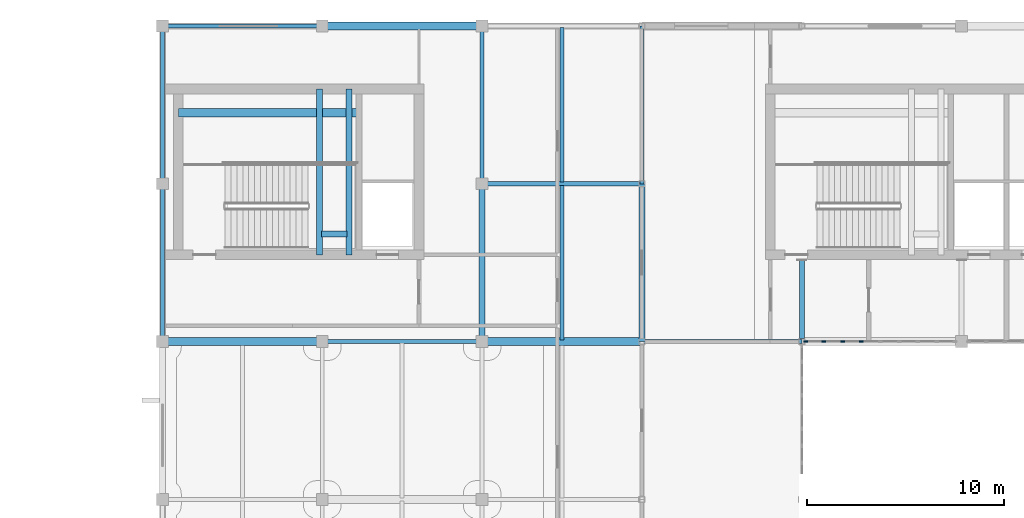
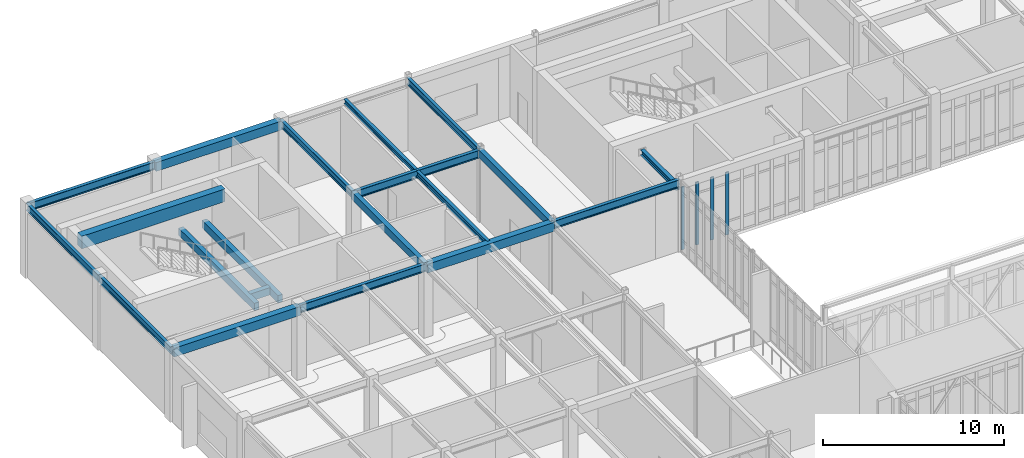
# One storey, part 29 of 107: 19 beams, 5 members, 1 element without a shape of its own.
"""IFC4 building model written with IfcOpenShell, lengths in metres."""

from ifc_helpers import new_model, si_unit, direction, frame, origin, origin_2d, place, context, subcontext, project, spatial, rectangle, i_section, extrude, material, material_profile, profile_set, type_object, element, aggregate, save


model = new_model("IFC4")

# Units and contexts
model_context = context("Model", 3, precision=1e-05, world=origin(), true_north=direction((0.0, 1.0)))
body_context = subcontext(model_context, "Body", "Model", "MODEL_VIEW")
ifc_project = project(units=[si_unit("LENGTHUNIT", "METRE"), si_unit("AREAUNIT", "SQUARE_METRE"), si_unit("VOLUMEUNIT", "CUBIC_METRE"), si_unit("PLANEANGLEUNIT", "RADIAN"), si_unit("MASSUNIT", "GRAM", prefix="KILO")], contexts=[model_context])

# Site, building, storey
site_placement = place(None, origin())
site = spatial("IfcSite", under=ifc_project, at=site_placement, CompositionType="ELEMENT")
building_placement = place(site_placement, origin())
building = spatial("IfcBuilding", under=site, at=building_placement, Name="Tarnveldt Square Police Headquarters", CompositionType="ELEMENT")
storey_placement = place(building_placement, frame((0.0, 0.0, 14.699951171875)))
storey = spatial("IfcBuildingStorey", under=building, at=storey_placement, Name="L03", CompositionType="ELEMENT", Elevation=14.699951171875)

# Beams
ifc_material_1 = material(Name="Concrete 50 MPa", Category="concrete")
ifc_material_profile_1 = material_profile(ifc_material_1, rectangle(XDim=0.449951171875, YDim=0.85009765625, at=origin_2d()), Name="RC-CB450x850")
ifc_profile_set_1 = profile_set([ifc_material_profile_1], Name="Concrete 50 MPa")
beam_type_1 = type_object("IfcBeamType", Name="BM-CB450x850", PredefinedType="BEAM", material=ifc_profile_set_1)
beam_1_placement = place(storey_placement, frame((17.0, 107.60009765625, 4.675048828125), z_axis=(1.0, 0.0, 0.0), x_axis=(0.0, 1.0, 0.0)))
element("IfcBeam", 1, at=beam_1_placement, inside=storey, type_object=beam_type_1, Name="Core K2 North-West Operations Core L03 Ductile Coupling Beam", PredefinedType="BEAM", context=body_context, shape_type="SweptSolid", body=[
    extrude(rectangle(XDim=0.449951171875, YDim=0.85009765625, at=origin_2d()), origin(), (0.0, 0.0, 1.0), 9.14990234375),
])
ifc_material_2 = material(Name="Concrete 40 MPa", Category="concrete")
ifc_material_profile_2 = material_profile(ifc_material_2, rectangle(XDim=0.300048828125, YDim=0.5, at=origin_2d()), Name="RC-B300x500")
ifc_profile_set_2 = profile_set([ifc_material_profile_2], Name="Concrete 40 MPa")
beam_type_2 = type_object("IfcBeamType", Name="BM-RC300x500", PredefinedType="BEAM", material=ifc_profile_set_2)
beam_2_placement = place(storey_placement, frame((24.14990234375, 100.39990234375, 2.10009765625), z_axis=(0.0, 1.0, 0.0), x_axis=(-1.0, 0.0, 0.0)))
element("IfcBeam", 2, at=beam_2_placement, inside=storey, type_object=beam_type_2, Name="ST2 L03 Half-Landing Support Beam 1", PredefinedType="BEAM", context=body_context, shape_type="SweptSolid", body=[
    extrude(rectangle(XDim=0.300048828125, YDim=0.5, at=origin_2d()), origin(), (0.0, 0.0, 1.0), 8.400146484375),
])
beam_3_placement = place(storey_placement, frame((24.25, 101.449951171875, 2.10009765625), z_axis=(1.0, 0.0, 0.0), x_axis=(0.0, 1.0, 0.0)))
element("IfcBeam", 3, at=beam_3_placement, inside=storey, type_object=beam_type_2, Name="ST2 L03 Half-Landing Support Beam 2", PredefinedType="BEAM", context=body_context, shape_type="SweptSolid", body=[
    extrude(rectangle(XDim=0.300048828125, YDim=0.5, at=origin_2d()), origin(), (0.0, 0.0, 1.0), 1.300048828125),
])
beam_4_placement = place(storey_placement, frame((25.64990234375, 100.39990234375, 2.10009765625), z_axis=(0.0, 1.0, 0.0), x_axis=(-1.0, 0.0, 0.0)))
element("IfcBeam", 4, at=beam_4_placement, inside=storey, type_object=beam_type_2, Name="ST2 L03 Half-Landing Transverse Support Beam", PredefinedType="BEAM", context=body_context, shape_type="SweptSolid", body=[
    extrude(rectangle(XDim=0.300048828125, YDim=0.5, at=origin_2d()), origin(), (0.0, 0.0, 1.0), 8.400146484375),
])
for number, where, z_axis, x_axis, name in (
    (5, (32.39990234375, 96.0, 4.590087890625), (0.0, 1.0, 0.0), (-1.0, 0.0, 0.0), "L04 Grid Girder Y-0883"),
    (6, (40.5, 96.0, 4.590087890625), (0.0, 1.0, 0.0), (-1.0, 0.0, 0.0), "L04 Grid Girder Y-0892"),
):
    element("IfcBeam", number, at=place(storey_placement, frame(where, z_axis=z_axis, x_axis=x_axis)), inside=storey, type_object=beam_type_2, Name=name, PredefinedType="BEAM", context=body_context, shape_type="SweptSolid", body=[
        extrude(rectangle(XDim=0.300048828125, YDim=0.5, at=origin_2d()), origin(), (0.0, 0.0, 1.0), 8.0),
    ])
ifc_material_profile_3 = material_profile(ifc_material_2, rectangle(XDim=0.39990234375, YDim=0.60009765625, at=origin_2d()), Name="RC-B400x600")
ifc_profile_set_3 = profile_set([ifc_material_profile_3], Name="Concrete 40 MPa")
beam_type_3 = type_object("IfcBeamType", Name="BM-RC400x600", PredefinedType="BEAM", material=ifc_profile_set_3)
for number, where, z_axis, x_axis, name in (
    (7, (16.199951171875, 96.0, 4.5400390625), (1.0, 0.0, 0.0), (0.0, 1.0, 0.0), "L04 Grid Girder X-0832"),
    (8, (32.39990234375, 96.0, 4.5400390625), (1.0, 0.0, 0.0), (0.0, 1.0, 0.0), "L04 Grid Girder X-0834"),
):
    element("IfcBeam", number, at=place(storey_placement, frame(where, z_axis=z_axis, x_axis=x_axis)), inside=storey, type_object=beam_type_3, Name=name, PredefinedType="BEAM", context=body_context, shape_type="SweptSolid", body=[
        extrude(rectangle(XDim=0.39990234375, YDim=0.60009765625, at=origin_2d()), origin(), (0.0, 0.0, 1.0), 8.10009765625),
    ])
beam_5_placement = place(storey_placement, frame((24.300048828125, 112.0, 4.5400390625), z_axis=(1.0, 0.0, 0.0), x_axis=(0.0, 1.0, 0.0)))
element("IfcBeam", 9, at=beam_5_placement, inside=storey, type_object=beam_type_3, Name="L04 Grid Girder X-0852", PredefinedType="BEAM", context=body_context, shape_type="SweptSolid", body=[
    extrude(rectangle(XDim=0.39990234375, YDim=0.60009765625, at=origin_2d()), origin(), (0.0, 0.0, 1.0), 8.099853515625),
])
ifc_material_3 = material(Name="Steel 350W", Category="steel")
ifc_material_profile_4 = material_profile(ifc_material_3, i_section(OverallWidth=0.202880859375, OverallDepth=0.302978515625, WebThickness=0.007568359375, FlangeThickness=0.01318359375, FilletRadius=0.014892578125, at=origin_2d()), Name="W310x60")
ifc_profile_set_4 = profile_set([ifc_material_profile_4], Name="Steel 350W")
beam_type_4 = type_object("IfcBeamType", Name="BM-W310x60", PredefinedType="JOIST", material=ifc_profile_set_4)
beam_6_placement = place(storey_placement, frame((36.449951171875, 104.080078125, 4.6884765625), z_axis=(0.0, 1.0, 0.0), x_axis=(-1.0, 0.0, 0.0)))
element("IfcBeam", 10, at=beam_6_placement, inside=storey, type_object=beam_type_4, Name="L04 Secondary Floor Joist 0204", PredefinedType="JOIST", context=body_context, shape_type="SweptSolid", body=[
    extrude(i_section(OverallWidth=0.202880859375, OverallDepth=0.302978515625, WebThickness=0.007568359375, FlangeThickness=0.01318359375, FilletRadius=0.014892578125, at=origin_2d()), origin(), (0.0, 0.0, 1.0), 7.83984375),
])
ifc_material_profile_5 = material_profile(ifc_material_3, i_section(OverallWidth=0.205078125, OverallDepth=0.35400390625, WebThickness=0.009521484375, FlangeThickness=0.016845703125, FilletRadius=0.01611328125, at=origin_2d()), Name="W360x79")
ifc_profile_set_5 = profile_set([ifc_material_profile_5], Name="Steel 350W")
beam_type_5 = type_object("IfcBeamType", Name="BM-W360x79", PredefinedType="JOIST", material=ifc_profile_set_5)
beam_7_placement = place(storey_placement, frame((36.449951171875, 96.080078125, 4.6630859375), z_axis=(0.0, 1.0, 0.0), x_axis=(-1.0, 0.0, 0.0)))
element("IfcBeam", 11, at=beam_7_placement, inside=storey, type_object=beam_type_5, Name="L04 Secondary Floor Joist 0198", PredefinedType="JOIST", context=body_context, shape_type="SweptSolid", body=[
    extrude(i_section(OverallWidth=0.205078125, OverallDepth=0.35400390625, WebThickness=0.009521484375, FlangeThickness=0.016845703125, FilletRadius=0.01611328125, at=origin_2d()), origin(), (0.0, 0.0, 1.0), 7.83984375),
])
ifc_material_profile_6 = material_profile(ifc_material_3, i_section(OverallWidth=0.19189453125, OverallDepth=0.462890625, WebThickness=0.010498046875, FlangeThickness=0.017578125, FilletRadius=0.01806640625, at=origin_2d()), Name="W460x89")
ifc_profile_set_6 = profile_set([ifc_material_profile_6], Name="Steel 350W")
beam_type_6 = type_object("IfcBeamType", Name="BM-W460x89", PredefinedType="BEAM", material=ifc_profile_set_6)
for number, where, z_axis, x_axis, name in (
    (12, (16.199951171875, 96.0, 4.608642578125), (0.0, 1.0, 0.0), (-1.0, 0.0, 0.0), "L04 Grid Girder Y-0869"),
    (13, (16.199951171875, 104.0, 4.608642578125), (0.0, 1.0, 0.0), (-1.0, 0.0, 0.0), "L04 Grid Girder Y-0870"),
    (14, (32.39990234375, 104.0, 4.608642578125), (0.0, 1.0, 0.0), (-1.0, 0.0, 0.0), "L04 Grid Girder Y-0884"),
    (15, (40.5, 104.0, 4.608642578125), (0.0, 1.0, 0.0), (-1.0, 0.0, 0.0), "L04 Grid Girder Y-0893"),
):
    element("IfcBeam", number, at=place(storey_placement, frame(where, z_axis=z_axis, x_axis=x_axis)), inside=storey, type_object=beam_type_6, Name=name, PredefinedType="BEAM", context=body_context, shape_type="SweptSolid", body=[
        extrude(i_section(OverallWidth=0.19189453125, OverallDepth=0.462890625, WebThickness=0.010498046875, FlangeThickness=0.017578125, FilletRadius=0.01806640625, at=origin_2d()), origin(), (0.0, 0.0, 1.0), 8.0),
    ])
ifc_material_profile_7 = material_profile(ifc_material_3, i_section(OverallWidth=0.208984375, OverallDepth=0.532958984375, WebThickness=0.01025390625, FlangeThickness=0.015625, FilletRadius=0.01904296875, at=origin_2d()), Name="W530x92")
ifc_profile_set_7 = profile_set([ifc_material_profile_7], Name="Steel 350W")
beam_type_7 = type_object("IfcBeamType", Name="BM-W530x92", PredefinedType="BEAM", material=ifc_profile_set_7)
beam_8_placement = place(storey_placement, frame((24.300048828125, 96.0, 4.573486328125), z_axis=(1.0, 0.0, 0.0), x_axis=(0.0, 1.0, 0.0)))
element("IfcBeam", 16, at=beam_8_placement, inside=storey, type_object=beam_type_7, Name="L04 Grid Girder X-0833", PredefinedType="BEAM", context=body_context, shape_type="SweptSolid", body=[
    extrude(i_section(OverallWidth=0.208984375, OverallDepth=0.532958984375, WebThickness=0.01025390625, FlangeThickness=0.015625, FilletRadius=0.01904296875, at=origin_2d()), origin(), (0.0, 0.0, 1.0), 8.099853515625),
])
for number, where, z_axis, x_axis, name in (
    (17, (40.5, 96.0, 4.573486328125), (1.0, 0.0, 0.0), (0.0, 1.0, 0.0), "L04 Grid Girder X-0835"),
    (18, (32.39990234375, 104.0, 4.573486328125), (1.0, 0.0, 0.0), (0.0, 1.0, 0.0), "L04 Grid Girder X-0845"),
    (19, (16.199951171875, 112.0, 4.573486328125), (1.0, 0.0, 0.0), (0.0, 1.0, 0.0), "L04 Grid Girder X-0851"),
):
    element("IfcBeam", number, at=place(storey_placement, frame(where, z_axis=z_axis, x_axis=x_axis)), inside=storey, type_object=beam_type_7, Name=name, PredefinedType="BEAM", context=body_context, shape_type="SweptSolid", body=[
        extrude(i_section(OverallWidth=0.208984375, OverallDepth=0.532958984375, WebThickness=0.01025390625, FlangeThickness=0.015625, FilletRadius=0.01904296875, at=origin_2d()), origin(), (0.0, 0.0, 1.0), 8.10009765625),
    ])

# Curtain wall, members
ifc_material_4 = material(Name="Triple-glazed low-e laminated vision glass", Category="glass")
curtain_wall_type = type_object("IfcCurtainWallType", Name="CW-LB-762x423", PredefinedType="USERDEFINED", material=ifc_material_4)
curtain_wall_placement = place(storey_placement, origin())
curtain_wall = element("IfcCurtainWall", 20, at=curtain_wall_placement, inside=storey, type_object=curtain_wall_type, Name="L03 Curtain Wall CW-L03-119", ObjectType="GLAZED CURTAIN WALL", PredefinedType="USERDEFINED")
ifc_material_5 = material(Name="Thermally broken anodised aluminium 6063-T6", Category="aluminium")
ifc_material_profile_8 = material_profile(ifc_material_5, rectangle(XDim=0.074951171875, YDim=0.199951171875, at=origin_2d()), Name="CW-M75x200")
ifc_profile_set_8 = profile_set([ifc_material_profile_8], Name="Thermally broken anodised aluminium 6063-T6")
member_type_1 = type_object("IfcMemberType", Name="CWM-75x200", PredefinedType="MULLION", material=ifc_profile_set_8)
member_1_placement = place(storey_placement, frame((48.804931640625, 96.0, 0.0), z_axis=(0.0, 0.0, 1.0), x_axis=(0.0, 1.0, 0.0)))
member_1 = element("IfcMember", 21, at=member_1_placement, type_object=member_type_1, Name="CW-LB70 mullion 1", PredefinedType="MULLION", context=body_context, shape_type="SweptSolid", body=[
    extrude(rectangle(XDim=0.074951171875, YDim=0.199951171875, at=origin_2d()), origin(), (0.0, 0.0, 1.0), 4.23193359375),
])
member_2_placement = place(storey_placement, frame((49.719482421875, 96.0, 0.0), z_axis=(0.0, 0.0, 1.0), x_axis=(0.0, 1.0, 0.0)))
member_2 = element("IfcMember", 22, at=member_2_placement, type_object=member_type_1, Name="CW-LB70 mullion 2", PredefinedType="MULLION", context=body_context, shape_type="SweptSolid", body=[
    extrude(rectangle(XDim=0.074951171875, YDim=0.199951171875, at=origin_2d()), origin(), (0.0, 0.0, 1.0), 4.23193359375),
])
member_3_placement = place(storey_placement, frame((50.671875, 96.0, 0.0), z_axis=(0.0, 0.0, 1.0), x_axis=(0.0, 1.0, 0.0)))
member_3 = element("IfcMember", 23, at=member_3_placement, type_object=member_type_1, Name="CW-LB70 mullion 3", PredefinedType="MULLION", context=body_context, shape_type="SweptSolid", body=[
    extrude(rectangle(XDim=0.074951171875, YDim=0.199951171875, at=origin_2d()), origin(), (0.0, 0.0, 1.0), 4.23193359375),
])
member_4_placement = place(storey_placement, frame((51.6240234375, 96.0, 0.0), z_axis=(0.0, 0.0, 1.0), x_axis=(0.0, 1.0, 0.0)))
member_4 = element("IfcMember", 24, at=member_4_placement, type_object=member_type_1, Name="CW-LB70 mullion 4", PredefinedType="MULLION", context=body_context, shape_type="SweptSolid", body=[
    extrude(rectangle(XDim=0.074951171875, YDim=0.199951171875, at=origin_2d()), origin(), (0.0, 0.0, 1.0), 4.23193359375),
])
aggregate(curtain_wall, [member_1, member_2, member_3, member_4])

# Member
ifc_material_profile_9 = material_profile(ifc_material_3, i_section(OverallWidth=0.257080078125, OverallDepth=0.363037109375, WebThickness=0.012939453125, FlangeThickness=0.021728515625, FilletRadius=0.01611328125, at=origin_2d()), Name="W360x122")
ifc_profile_set_9 = profile_set([ifc_material_profile_9], Name="Steel 350W")
member_type_2 = type_object("IfcMemberType", Name="MEM-CT-POST", PredefinedType="STRUT", material=ifc_profile_set_9)
member_5_placement = place(storey_placement, frame((48.60009765625, 96.14990234375, 4.150146484375), z_axis=(0.0, 1.0, 0.0), x_axis=(-1.0, 0.0, 0.0)))
element("IfcMember", 25, at=member_5_placement, inside=storey, type_object=member_type_2, Name="Cantilever Collector Strut CTP1 to Core K3 L03.2", PredefinedType="STRUT", context=body_context, shape_type="SweptSolid", body=[
    extrude(i_section(OverallWidth=0.257080078125, OverallDepth=0.363037109375, WebThickness=0.012939453125, FlangeThickness=0.021728515625, FilletRadius=0.01611328125, at=origin_2d()), origin(), (0.0, 0.0, 1.0), 3.962158203125),
])

save(model, "model.ifc")
